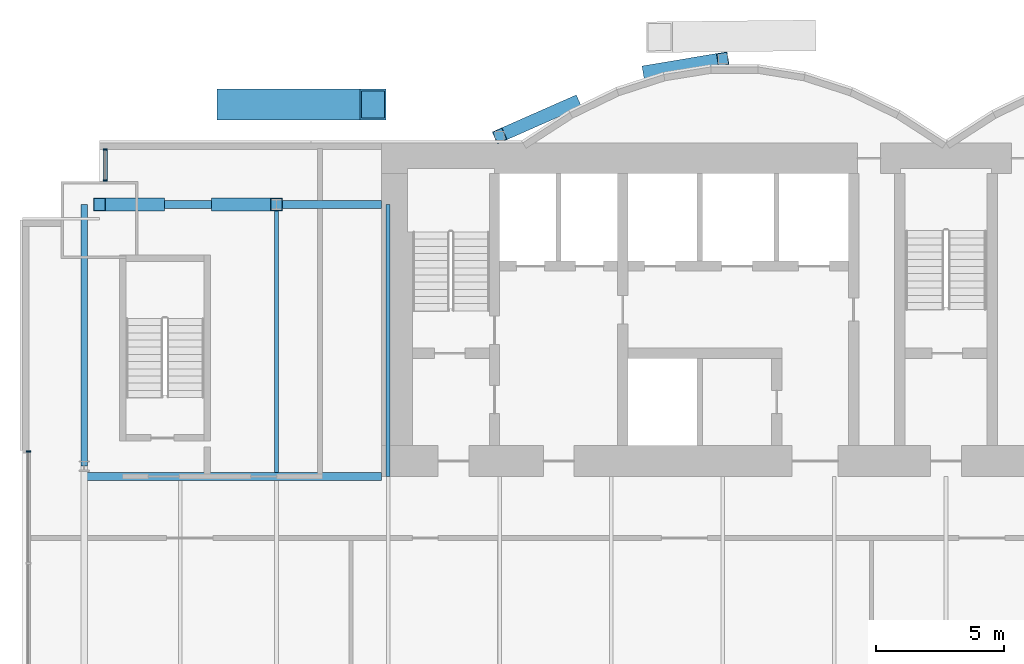
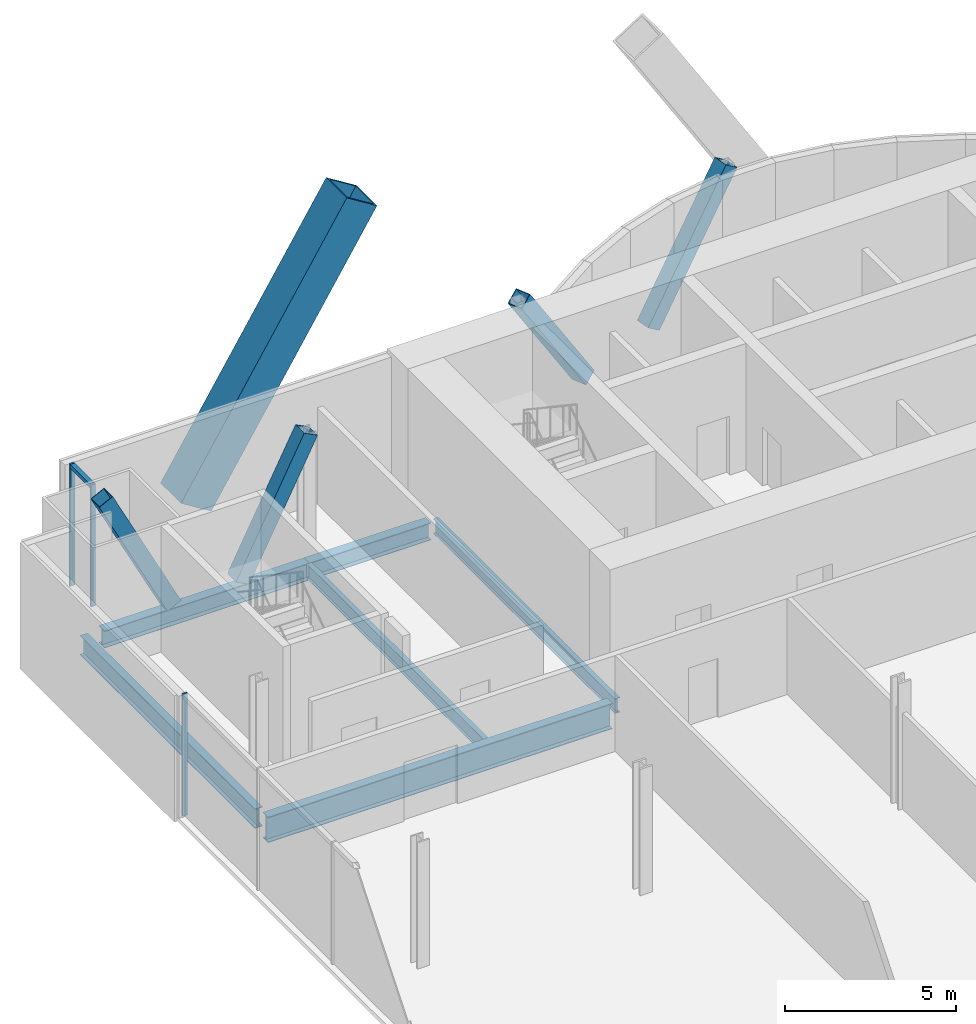
# One storey, part 11 of 23: 9 members, 6 beams, 2 elements without a shape of their own.
"""IFC4 building model written with IfcOpenShell, lengths in metres."""

from ifc_helpers import new_model, si_unit, direction, frame, origin, origin_2d, place, context, subcontext, project, spatial, rectangle, hollow_rectangle, i_section, extrude, material, material_profile, profile_set, type_object, element, aggregate, save


model = new_model("IFC4")

# Units and contexts
model_context = context("Model", 3, precision=1e-05, world=origin(), true_north=direction((0.0, 1.0)))
body_context = subcontext(model_context, "Body", "Model", "MODEL_VIEW")
ifc_project = project(units=[si_unit("LENGTHUNIT", "METRE"), si_unit("AREAUNIT", "SQUARE_METRE"), si_unit("VOLUMEUNIT", "CUBIC_METRE"), si_unit("PLANEANGLEUNIT", "RADIAN"), si_unit("MASSUNIT", "GRAM", prefix="KILO")], contexts=[model_context])

# Site, building, storey
site_placement = place(None, origin())
site = spatial("IfcSite", under=ifc_project, at=site_placement, CompositionType="ELEMENT")
building_placement = place(site_placement, origin())
building = spatial("IfcBuilding", under=site, at=building_placement, Name="Bicima Exchange Tower", CompositionType="ELEMENT")
storey_placement = place(building_placement, frame((0.0, 0.0, 44.0)))
storey = spatial("IfcBuildingStorey", under=building, at=storey_placement, Name="L08", CompositionType="ELEMENT", Elevation=44.0)

# Beam
ifc_material_1 = material(Name="Steel ASTM A992 Gr 50", Category="steel")
ifc_material_profile_1 = material_profile(ifc_material_1, i_section(OverallWidth=0.3046875, OverallDepth=0.911865234375, WebThickness=0.015869140625, FlangeThickness=0.02392578125, at=origin_2d()))
ifc_profile_set_1 = profile_set([ifc_material_profile_1], Name="Steel ASTM A992 Gr 50")
beam_type_1 = type_object("IfcBeamType", Name="Core-line girder W36x150", PredefinedType="BEAM", material=ifc_profile_set_1)
beam_1_placement = place(storey_placement, frame((-22.0, -13.0, -0.60595703125), z_axis=(-1.0, 0.0, 0.0), x_axis=(0.0, -1.0, 0.0)))
element("IfcBeam", 1, at=beam_1_placement, inside=storey, type_object=beam_type_1, Name="Core-line girder", PredefinedType="BEAM", context=body_context, shape_type="SweptSolid", body=[
    extrude(i_section(OverallWidth=0.3046875, OverallDepth=0.911865234375, WebThickness=0.015869140625, FlangeThickness=0.02392578125, at=origin_2d()), origin(), (0.0, 0.0, 1.0), 11.60009765625),
])

# Curtain wall, member
ifc_material_2 = material(Name="Anodised bronze aluminium", Category="aluminium")
curtain_wall_type_1 = type_object("IfcCurtainWallType", Name="End face glass wall", PredefinedType="NOTDEFINED", material=ifc_material_2)
curtain_wall_1_placement = place(storey_placement, origin())
curtain_wall_1 = element("IfcCurtainWall", 2, at=curtain_wall_1_placement, inside=storey, type_object=curtain_wall_type_1, Name="End face glass wall L08 run 2", PredefinedType="NOTDEFINED")
ifc_material_profile_2 = material_profile(ifc_material_2, rectangle(XDim=0.159912109375, YDim=0.06005859375, at=origin_2d()))
ifc_profile_set_2 = profile_set([ifc_material_profile_2], Name="Anodised bronze aluminium")
member_type_1 = type_object("IfcMemberType", Name="End face glass wall mullion 60 x 160", PredefinedType="MULLION", material=ifc_profile_set_2)
member_1_placement = place(storey_placement, frame((-35.77001953125, -12.030029296875, 0.0), z_axis=(0.0, 0.0, 1.0), x_axis=(1.0, 0.0, 0.0)))
member_1 = element("IfcMember", 3, at=member_1_placement, type_object=member_type_1, Name="End face glass wall mullion 1", PredefinedType="MULLION", context=body_context, shape_type="SweptSolid", body=[
    extrude(rectangle(XDim=0.159912109375, YDim=0.06005859375, at=origin_2d()), origin(), (0.0, 0.0, 1.0), 4.35009765625),
])
aggregate(curtain_wall_1, [member_1])

# Beam
ifc_material_profile_3 = material_profile(ifc_material_1, i_section(OverallWidth=0.256591796875, OverallDepth=0.693359375, WebThickness=0.014404296875, FlangeThickness=0.023681640625, at=origin_2d()))
ifc_profile_set_3 = profile_set([ifc_material_profile_3], Name="Steel ASTM A992 Gr 50")
beam_type_2 = type_object("IfcBeamType", Name="End girder W27x114", PredefinedType="BEAM", material=ifc_profile_set_3)
beam_2_placement = place(storey_placement, frame((-33.60009765625, -2.39990234375, -0.49658203125), z_axis=(0.0, -1.0, 0.0), x_axis=(1.0, 0.0, 0.0)))
element("IfcBeam", 4, at=beam_2_placement, inside=storey, type_object=beam_type_2, Name="End girder", PredefinedType="BEAM", context=body_context, shape_type="SweptSolid", body=[
    extrude(i_section(OverallWidth=0.256591796875, OverallDepth=0.693359375, WebThickness=0.014404296875, FlangeThickness=0.023681640625, at=origin_2d()), origin(), (0.0, 0.0, 1.0), 10.2001953125),
])

# Member
ifc_material_3 = material(Name="Steel ASTM A572 Gr 50", Category="steel")
ifc_material_profile_4 = material_profile(ifc_material_3, hollow_rectangle(XDim=1.199951171875, YDim=1.199951171875, WallThickness=0.070068359375, at=origin_2d()))
ifc_profile_set_4 = profile_set([ifc_material_profile_4], Name="Steel ASTM A572 Gr 50")
member_type_2 = type_object("IfcMemberType", Name="Exo mega brace BOX 1200x1200x70", PredefinedType="BRACE", material=ifc_profile_set_4)
member_2_placement = place(storey_placement, frame((-27.916748046875, 1.5, 0.375), z_axis=(0.530363683247, 0.0, 0.847770230365), x_axis=(0.0, 1.0, 0.0)))
element("IfcMember", 5, at=member_2_placement, inside=storey, type_object=member_type_2, Name="Exo mega brace rear", PredefinedType="BRACE", context=body_context, shape_type="SweptSolid", body=[
    extrude(hollow_rectangle(XDim=1.199951171875, YDim=1.199951171875, WallThickness=0.070068359375, at=origin_2d()), origin(), (0.0, 0.0, 1.0), 10.527587890625),
])

# Beams
ifc_material_profile_5 = material_profile(ifc_material_1, i_section(OverallWidth=0.165771484375, OverallDepth=0.5283203125, WebThickness=0.009765625, FlangeThickness=0.013671875, at=origin_2d()))
ifc_profile_set_5 = profile_set([ifc_material_profile_5], Name="Steel ASTM A992 Gr 50")
beam_type_3 = type_object("IfcBeamType", Name="Floor beam W21x50", PredefinedType="JOIST", material=ifc_profile_set_5)
beam_3_placement = place(storey_placement, frame((-26.10009765625, -2.5625, -0.414306640625), z_axis=(0.0, -1.0, 0.0), x_axis=(1.0, 0.0, 0.0)))
element("IfcBeam", 6, at=beam_3_placement, inside=storey, type_object=beam_type_3, Name="Floor beam", PredefinedType="JOIST", context=body_context, shape_type="SweptSolid", body=[
    extrude(i_section(OverallWidth=0.165771484375, OverallDepth=0.5283203125, WebThickness=0.009765625, FlangeThickness=0.013671875, at=origin_2d()), origin(), (0.0, 0.0, 1.0), 10.28515625),
])
beam_4_placement = place(storey_placement, frame((-21.75, -2.39990234375, -0.414306640625), z_axis=(0.0, -1.0, 0.0), x_axis=(1.0, 0.0, 0.0)))
element("IfcBeam", 7, at=beam_4_placement, inside=storey, type_object=beam_type_3, Name="Floor beam", PredefinedType="JOIST", context=body_context, shape_type="SweptSolid", body=[
    extrude(i_section(OverallWidth=0.165771484375, OverallDepth=0.5283203125, WebThickness=0.009765625, FlangeThickness=0.013671875, at=origin_2d()), origin(), (0.0, 0.0, 1.0), 10.60009765625),
])

# Curtain wall, members
curtain_wall_type_2 = type_object("IfcCurtainWallType", Name="Front glass wall", PredefinedType="NOTDEFINED", material=ifc_material_2)
curtain_wall_2_placement = place(storey_placement, origin())
curtain_wall_2 = element("IfcCurtainWall", 8, at=curtain_wall_2_placement, inside=storey, type_object=curtain_wall_type_2, Name="Front glass wall L08 run 1", PredefinedType="NOTDEFINED")
member_type_3 = type_object("IfcMemberType", Name="Front glass wall mullion 60 x 160", PredefinedType="MULLION", material=ifc_profile_set_2)
member_3_placement = place(storey_placement, frame((-32.77001953125, -0.260009765625, 0.0), z_axis=(0.0, 0.0, 1.0), x_axis=(1.0, 0.0, 0.0)))
member_3 = element("IfcMember", 9, at=member_3_placement, type_object=member_type_3, Name="Front glass wall mullion 1", PredefinedType="MULLION", context=body_context, shape_type="SweptSolid", body=[
    extrude(rectangle(XDim=0.159912109375, YDim=0.06005859375, at=origin_2d()), origin(), (0.0, 0.0, 1.0), 4.35009765625),
])
member_4_placement = place(storey_placement, frame((-32.77001953125, -1.469970703125, 0.0), z_axis=(0.0, 0.0, 1.0), x_axis=(1.0, 0.0, 0.0)))
member_4 = element("IfcMember", 10, at=member_4_placement, type_object=member_type_3, Name="Front glass wall mullion 2", PredefinedType="MULLION", context=body_context, shape_type="SweptSolid", body=[
    extrude(rectangle(XDim=0.159912109375, YDim=0.06005859375, at=origin_2d()), origin(), (0.0, 0.0, 1.0), 4.35009765625),
])
ifc_material_profile_6 = material_profile(ifc_material_2, rectangle(XDim=0.159912109375, YDim=0.139892578125, at=origin_2d()))
ifc_profile_set_6 = profile_set([ifc_material_profile_6], Name="Anodised bronze aluminium")
member_type_4 = type_object("IfcMemberType", Name="Front glass wall transom 140 x 160", PredefinedType="USERDEFINED", material=ifc_profile_set_6)
member_5_placement = place(storey_placement, frame((-32.77001953125, -0.2900390625, 4.280029296875), z_axis=(0.0, -1.0, 0.0), x_axis=(1.0, 0.0, 0.0)))
member_5 = element("IfcMember", 11, at=member_5_placement, type_object=member_type_4, Name="Front glass wall transom 1.1", ObjectType="TRANSOM", PredefinedType="USERDEFINED", context=body_context, shape_type="SweptSolid", body=[
    extrude(rectangle(XDim=0.159912109375, YDim=0.139892578125, at=origin_2d()), origin(), (0.0, 0.0, 1.0), 1.14990234375),
])
aggregate(curtain_wall_2, [member_3, member_4, member_5])

# Members
ifc_material_profile_7 = material_profile(ifc_material_3, hollow_rectangle(XDim=0.508056640625, YDim=0.508056640625, WallThickness=0.017822265625, at=origin_2d()))
ifc_profile_set_7 = profile_set([ifc_material_profile_7], Name="Steel ASTM A572 Gr 50")
member_type_5 = type_object("IfcMemberType", Name="Mega brace HSS20x20x3/4", PredefinedType="BRACE", material=ifc_profile_set_7)
member_6_placement = place(storey_placement, frame((-11.60009765625, 2.783203125, 0.0), z_axis=(0.539503643625, 0.090379009244, 0.837118541906), x_axis=(-0.165220206918, 0.9862567025, 0.0)))
element("IfcMember", 12, at=member_6_placement, inside=storey, type_object=member_type_5, Name="Mega brace rexo", PredefinedType="BRACE", context=body_context, shape_type="SweptSolid", body=[
    extrude(hollow_rectangle(XDim=0.508056640625, YDim=0.508056640625, WallThickness=0.017822265625, at=origin_2d()), origin(), (0.0, 0.0, 1.0), 5.37548828125),
])
member_7_placement = place(storey_placement, frame((-14.5, 1.55615234375, 0.0), z_axis=(-0.526881390073, -0.232212836928, 0.817602103202), x_axis=(0.403298774981, -0.915068357063, 0.0)))
element("IfcMember", 13, at=member_7_placement, inside=storey, type_object=member_type_5, Name="Mega brace rexo", PredefinedType="BRACE", context=body_context, shape_type="SweptSolid", body=[
    extrude(hollow_rectangle(XDim=0.508056640625, YDim=0.508056640625, WallThickness=0.017822265625, at=origin_2d()), origin(), (0.0, 0.0, 1.0), 5.50390625),
])
for number, where, z_axis, x_axis, name in (
    (14, (-28.39990234375, -2.39990234375, 0.0), (0.455080416514, 0.0, 0.89045034365), (0.0, 1.0, 0.0), "Mega brace rear"),
    (15, (-30.699951171875, -2.39990234375, 0.0), (-0.455118720355, 0.0, 0.890430766754), (0.0, -1.0, 0.0), "Mega brace rear"),
):
    element("IfcMember", number, at=place(storey_placement, frame(where, z_axis=z_axis, x_axis=x_axis)), inside=storey, type_object=member_type_5, Name=name, PredefinedType="BRACE", context=body_context, shape_type="SweptSolid", body=[
        extrude(hollow_rectangle(XDim=0.508056640625, YDim=0.508056640625, WallThickness=0.017822265625, at=origin_2d()), origin(), (0.0, 0.0, 1.0), 5.0537109375),
    ])

# Beams
ifc_material_profile_8 = material_profile(ifc_material_1, i_section(OverallWidth=0.3251953125, OverallDepth=0.612060546875, WebThickness=0.0126953125, FlangeThickness=0.01904296875, at=origin_2d()))
ifc_profile_set_8 = profile_set([ifc_material_profile_8], Name="Steel ASTM A992 Gr 50")
beam_type_4 = type_object("IfcBeamType", Name="Rear girder W24x104", PredefinedType="BEAM", material=ifc_profile_set_8)
beam_5_placement = place(storey_placement, frame((-22.0, -2.39990234375, -0.4560546875), z_axis=(-1.0, 0.0, 0.0), x_axis=(0.0, -1.0, 0.0)))
element("IfcBeam", 16, at=beam_5_placement, inside=storey, type_object=beam_type_4, Name="Rear girder", PredefinedType="BEAM", context=body_context, shape_type="SweptSolid", body=[
    extrude(i_section(OverallWidth=0.3251953125, OverallDepth=0.612060546875, WebThickness=0.0126953125, FlangeThickness=0.01904296875, at=origin_2d()), origin(), (0.0, 0.0, 1.0), 4.10009765625),
])
beam_6_placement = place(storey_placement, frame((-26.10009765625, -2.39990234375, -0.4560546875), z_axis=(-1.0, 0.0, 0.0), x_axis=(0.0, -1.0, 0.0)))
element("IfcBeam", 17, at=beam_6_placement, inside=storey, type_object=beam_type_4, Name="Rear girder", PredefinedType="BEAM", context=body_context, shape_type="SweptSolid", body=[
    extrude(i_section(OverallWidth=0.3251953125, OverallDepth=0.612060546875, WebThickness=0.0126953125, FlangeThickness=0.01904296875, at=origin_2d()), origin(), (0.0, 0.0, 1.0), 6.89990234375),
])

save(model, "model.ifc")
